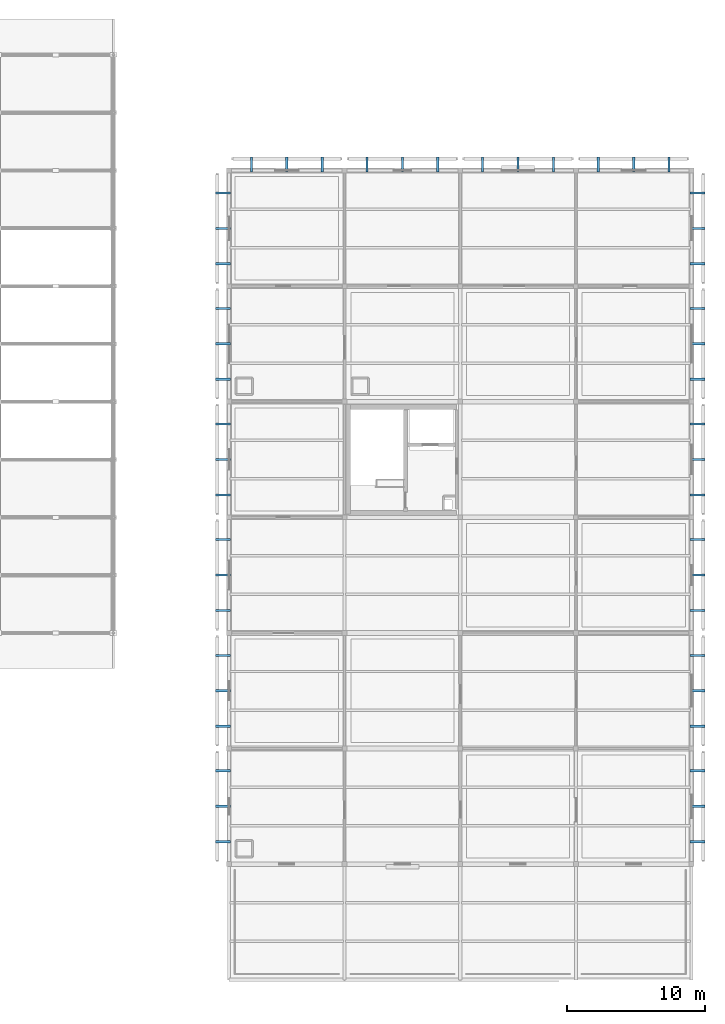
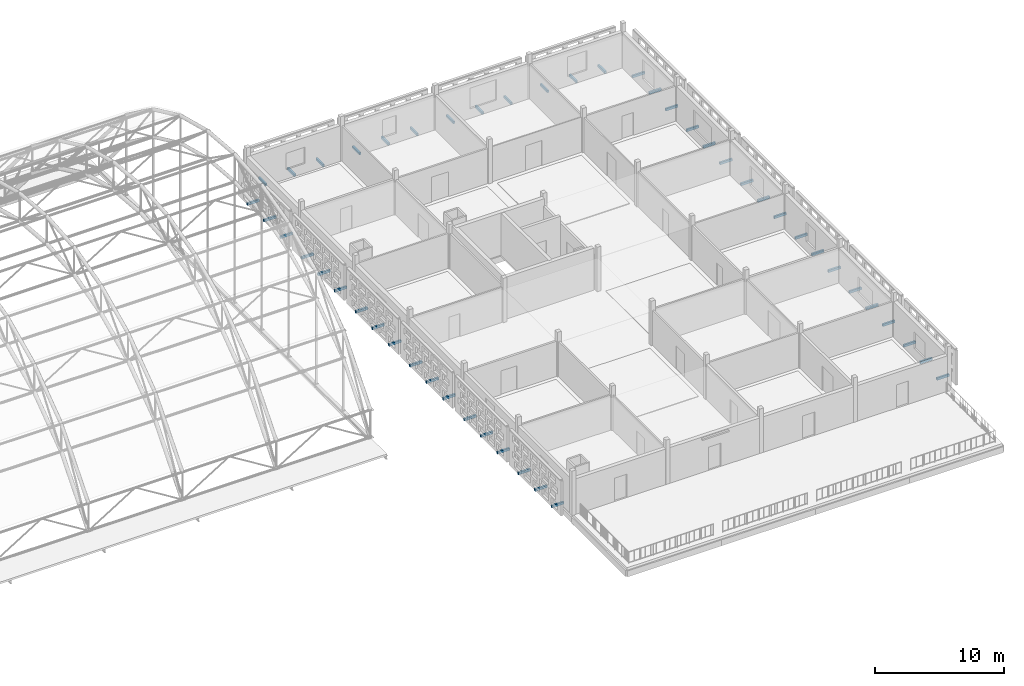
# One storey, part 78 of 103: 48 discrete accessories.
"""IFC4 building model written with IfcOpenShell, lengths in metres."""

from ifc_helpers import new_model, si_unit, direction, frame, origin, origin_2d, place, context, subcontext, project, spatial, rectangle, extrude, material, type_object, element, save


model = new_model("IFC4")

# Units and contexts
model_context = context("Model", 3, precision=1e-05, world=origin(), true_north=direction((0.0, 1.0)))
body_context = subcontext(model_context, "Body", "Model", "MODEL_VIEW")
ifc_project = project(units=[si_unit("LENGTHUNIT", "METRE"), si_unit("AREAUNIT", "SQUARE_METRE"), si_unit("VOLUMEUNIT", "CUBIC_METRE"), si_unit("PLANEANGLEUNIT", "RADIAN"), si_unit("MASSUNIT", "GRAM", prefix="KILO")], contexts=[model_context])

# Site, building, storey
site_placement = place(None, origin())
site = spatial("IfcSite", under=ifc_project, at=site_placement, CompositionType="ELEMENT")
building_placement = place(site_placement, origin())
building = spatial("IfcBuilding", under=site, at=building_placement, Name="Varnapada Polytechnic", CompositionType="ELEMENT")
storey_placement = place(building_placement, frame((0.0, 0.0, 18.0)))
storey = spatial("IfcBuildingStorey", under=building, at=storey_placement, Name="L04", CompositionType="ELEMENT", Elevation=18.0)

# Discrete accessories
ifc_material = material(Name="Steel S355", Category="steel")
discrete_accessory_type = type_object("IfcDiscreteAccessoryType", Name="Screen Outrigger Bracket BRK-01", PredefinedType="BRACKET", material=ifc_material)
for number, where, z_axis, x_axis, name in (
    (1, (142.375, 68.8291015625, -0.0498046875), (0.0, 0.0, 1.0), (0.0, 1.0, 0.0), "L04 terracotta screen outrigger bracket 42.1"),
    (2, (142.375, 71.405029296875, -0.0498046875), (0.0, 0.0, 1.0), (0.0, 1.0, 0.0), "L04 terracotta screen outrigger bracket 42.2"),
    (3, (142.375, 73.98095703125, -0.0498046875), (0.0, 0.0, 1.0), (0.0, 1.0, 0.0), "L04 terracotta screen outrigger bracket 42.3"),
    (4, (142.375, 77.218994140625, -0.0498046875), (0.0, 0.0, 1.0), (0.0, 1.0, 0.0), "L04 terracotta screen outrigger bracket 43.1"),
    (5, (142.375, 79.794921875, -0.0498046875), (0.0, 0.0, 1.0), (0.0, 1.0, 0.0), "L04 terracotta screen outrigger bracket 43.2"),
    (6, (142.375, 82.37109375, -0.0498046875), (0.0, 0.0, 1.0), (0.0, 1.0, 0.0), "L04 terracotta screen outrigger bracket 43.3"),
    (7, (142.375, 85.62890625, -0.0498046875), (0.0, 0.0, 1.0), (0.0, 1.0, 0.0), "L04 terracotta screen outrigger bracket 44.1"),
    (8, (142.375, 88.205078125, -0.0498046875), (0.0, 0.0, 1.0), (0.0, 1.0, 0.0), "L04 terracotta screen outrigger bracket 44.2"),
    (9, (142.375, 90.781005859375, -0.0498046875), (0.0, 0.0, 1.0), (0.0, 1.0, 0.0), "L04 terracotta screen outrigger bracket 44.3"),
    (10, (142.375, 94.01904296875, -0.0498046875), (0.0, 0.0, 1.0), (0.0, 1.0, 0.0), "L04 terracotta screen outrigger bracket 45.1"),
    (11, (142.375, 96.594970703125, -0.0498046875), (0.0, 0.0, 1.0), (0.0, 1.0, 0.0), "L04 terracotta screen outrigger bracket 45.2"),
    (12, (142.375, 99.1708984375, -0.0498046875), (0.0, 0.0, 1.0), (0.0, 1.0, 0.0), "L04 terracotta screen outrigger bracket 45.3"),
    (13, (142.375, 102.428955078125, -0.0498046875), (0.0, 0.0, 1.0), (0.0, 1.0, 0.0), "L04 terracotta screen outrigger bracket 46.1"),
    (14, (142.375, 105.0048828125, -0.0498046875), (0.0, 0.0, 1.0), (0.0, 1.0, 0.0), "L04 terracotta screen outrigger bracket 46.2"),
    (15, (142.375, 107.5810546875, -0.0498046875), (0.0, 0.0, 1.0), (0.0, 1.0, 0.0), "L04 terracotta screen outrigger bracket 46.3"),
    (16, (144.42724609375, 118.02490234375, -0.0498046875), (0.0, 0.0, 1.0), (1.0, 0.0, 0.0), "L04 terracotta screen outrigger bracket 47.1"),
    (17, (147.0, 118.02490234375, -0.0498046875), (0.0, 0.0, 1.0), (1.0, 0.0, 0.0), "L04 terracotta screen outrigger bracket 47.2"),
    (18, (149.57275390625, 118.02490234375, -0.0498046875), (0.0, 0.0, 1.0), (1.0, 0.0, 0.0), "L04 terracotta screen outrigger bracket 47.3"),
    (19, (142.375, 110.819091796875, -0.0498046875), (0.0, 0.0, 1.0), (0.0, 1.0, 0.0), "L04 terracotta screen outrigger bracket 48.1"),
    (20, (142.375, 113.39501953125, -0.0498046875), (0.0, 0.0, 1.0), (0.0, 1.0, 0.0), "L04 terracotta screen outrigger bracket 48.2"),
    (21, (142.375, 115.970947265625, -0.0498046875), (0.0, 0.0, 1.0), (0.0, 1.0, 0.0), "L04 terracotta screen outrigger bracket 48.3"),
    (22, (152.8271484375, 118.02490234375, -0.0498046875), (0.0, 0.0, 1.0), (1.0, 0.0, 0.0), "L04 terracotta screen outrigger bracket 50.1"),
    (23, (155.39990234375, 118.02490234375, -0.0498046875), (0.0, 0.0, 1.0), (1.0, 0.0, 0.0), "L04 terracotta screen outrigger bracket 50.2"),
    (24, (157.972900390625, 118.02490234375, -0.0498046875), (0.0, 0.0, 1.0), (1.0, 0.0, 0.0), "L04 terracotta screen outrigger bracket 50.3"),
    (25, (161.227294921875, 118.02490234375, -0.0498046875), (0.0, 0.0, 1.0), (1.0, 0.0, 0.0), "L04 terracotta screen outrigger bracket 52.1"),
    (26, (163.800048828125, 118.02490234375, -0.0498046875), (0.0, 0.0, 1.0), (1.0, 0.0, 0.0), "L04 terracotta screen outrigger bracket 52.2"),
    (27, (166.372802734375, 118.02490234375, -0.0498046875), (0.0, 0.0, 1.0), (1.0, 0.0, 0.0), "L04 terracotta screen outrigger bracket 52.3"),
    (28, (176.824951171875, 73.98095703125, -0.0498046875), (0.0, 0.0, 1.0), (0.0, -1.0, 0.0), "L04 terracotta screen outrigger bracket 54.1"),
    (29, (176.824951171875, 71.405029296875, -0.0498046875), (0.0, 0.0, 1.0), (0.0, -1.0, 0.0), "L04 terracotta screen outrigger bracket 54.2"),
    (30, (176.824951171875, 68.8291015625, -0.0498046875), (0.0, 0.0, 1.0), (0.0, -1.0, 0.0), "L04 terracotta screen outrigger bracket 54.3"),
    (31, (176.824951171875, 82.37109375, -0.0498046875), (0.0, 0.0, 1.0), (0.0, -1.0, 0.0), "L04 terracotta screen outrigger bracket 55.1"),
    (32, (176.824951171875, 79.794921875, -0.0498046875), (0.0, 0.0, 1.0), (0.0, -1.0, 0.0), "L04 terracotta screen outrigger bracket 55.2"),
    (33, (176.824951171875, 77.218994140625, -0.0498046875), (0.0, 0.0, 1.0), (0.0, -1.0, 0.0), "L04 terracotta screen outrigger bracket 55.3"),
    (34, (176.824951171875, 90.781005859375, -0.0498046875), (0.0, 0.0, 1.0), (0.0, -1.0, 0.0), "L04 terracotta screen outrigger bracket 56.1"),
    (35, (176.824951171875, 88.205078125, -0.0498046875), (0.0, 0.0, 1.0), (0.0, -1.0, 0.0), "L04 terracotta screen outrigger bracket 56.2"),
    (36, (176.824951171875, 85.62890625, -0.0498046875), (0.0, 0.0, 1.0), (0.0, -1.0, 0.0), "L04 terracotta screen outrigger bracket 56.3"),
    (37, (176.824951171875, 99.1708984375, -0.0498046875), (0.0, 0.0, 1.0), (0.0, -1.0, 0.0), "L04 terracotta screen outrigger bracket 57.1"),
    (38, (176.824951171875, 96.594970703125, -0.0498046875), (0.0, 0.0, 1.0), (0.0, -1.0, 0.0), "L04 terracotta screen outrigger bracket 57.2"),
    (39, (176.824951171875, 94.01904296875, -0.0498046875), (0.0, 0.0, 1.0), (0.0, -1.0, 0.0), "L04 terracotta screen outrigger bracket 57.3"),
    (40, (176.824951171875, 107.5810546875, -0.0498046875), (0.0, 0.0, 1.0), (0.0, -1.0, 0.0), "L04 terracotta screen outrigger bracket 58.1"),
    (41, (176.824951171875, 105.0048828125, -0.0498046875), (0.0, 0.0, 1.0), (0.0, -1.0, 0.0), "L04 terracotta screen outrigger bracket 58.2"),
    (42, (176.824951171875, 102.428955078125, -0.0498046875), (0.0, 0.0, 1.0), (0.0, -1.0, 0.0), "L04 terracotta screen outrigger bracket 58.3"),
    (43, (169.627197265625, 118.02490234375, -0.0498046875), (0.0, 0.0, 1.0), (1.0, 0.0, 0.0), "L04 terracotta screen outrigger bracket 59.1"),
    (44, (172.199951171875, 118.02490234375, -0.0498046875), (0.0, 0.0, 1.0), (1.0, 0.0, 0.0), "L04 terracotta screen outrigger bracket 59.2"),
    (45, (174.772705078125, 118.02490234375, -0.0498046875), (0.0, 0.0, 1.0), (1.0, 0.0, 0.0), "L04 terracotta screen outrigger bracket 59.3"),
    (46, (176.824951171875, 115.970947265625, -0.0498046875), (0.0, 0.0, 1.0), (0.0, -1.0, 0.0), "L04 terracotta screen outrigger bracket 60.1"),
    (47, (176.824951171875, 113.39501953125, -0.0498046875), (0.0, 0.0, 1.0), (0.0, -1.0, 0.0), "L04 terracotta screen outrigger bracket 60.2"),
    (48, (176.824951171875, 110.819091796875, -0.0498046875), (0.0, 0.0, 1.0), (0.0, -1.0, 0.0), "L04 terracotta screen outrigger bracket 60.3"),
):
    element("IfcDiscreteAccessory", number, at=place(storey_placement, frame(where, z_axis=z_axis, x_axis=x_axis)), inside=storey, type_object=discrete_accessory_type, Name=name, PredefinedType="BRACKET", context=body_context, shape_type="SweptSolid", body=[
        extrude(rectangle(XDim=0.159912109375, YDim=1.090087890625, at=origin_2d()), origin(), (0.0, 0.0, 1.0), 0.219970703125),
    ])

save(model, "model.ifc")
